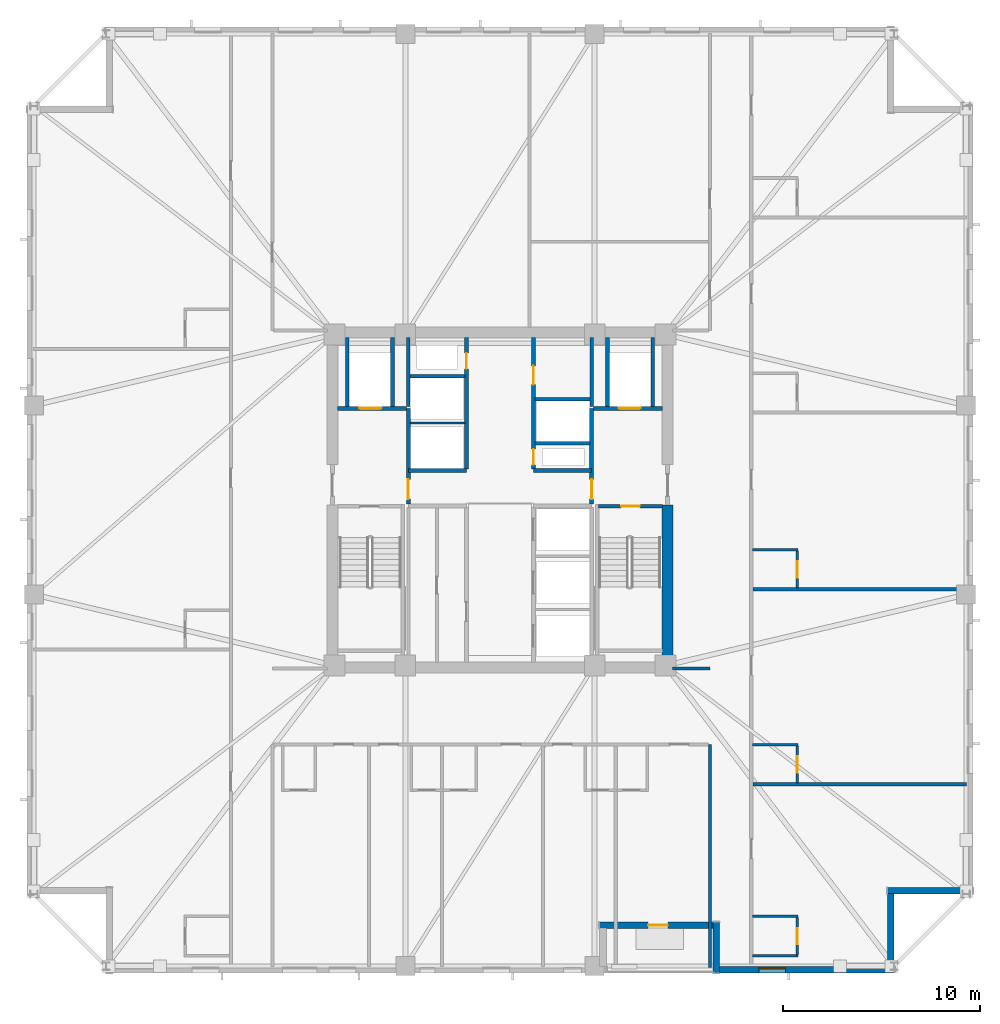
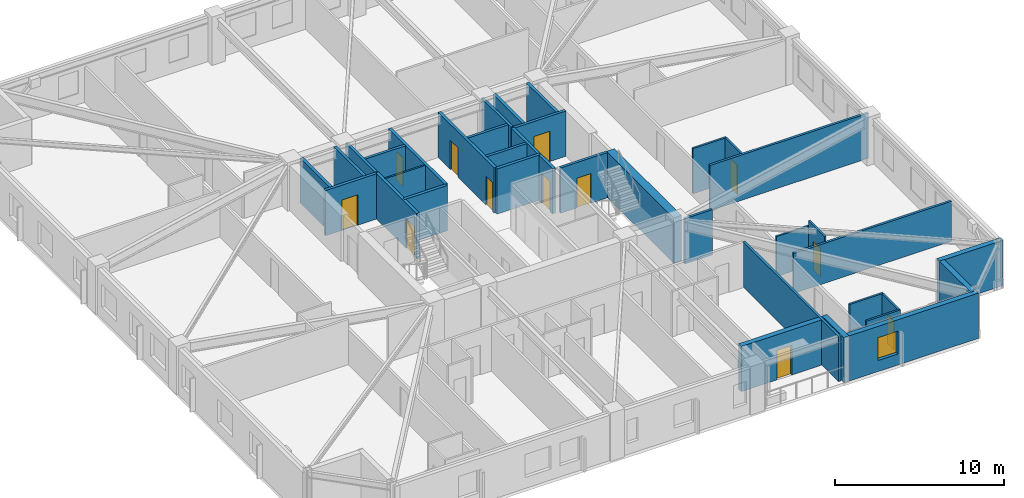
# One storey, part 4 of 11: 36 walls, 12 doors, 1 window, 13 openings.
"""IFC4 building model written with IfcOpenShell, lengths in metres."""

from ifc_helpers import new_model, si_unit, direction, frame, frame_2d, origin, place, context, subcontext, project, spatial, rectangle, extrude, material, layer, layer_set, type_object, element, fill, save


model = new_model("IFC4")

# Units and contexts
model_context = context("Model", 3, precision=1e-05, world=origin(), true_north=direction((0.0, 1.0)))
body_context = subcontext(model_context, "Body", "Model", "MODEL_VIEW")
ifc_project = project(units=[si_unit("LENGTHUNIT", "METRE"), si_unit("AREAUNIT", "SQUARE_METRE"), si_unit("VOLUMEUNIT", "CUBIC_METRE"), si_unit("PLANEANGLEUNIT", "RADIAN"), si_unit("MASSUNIT", "GRAM", prefix="KILO")], contexts=[model_context])

# Site, building, storey
site_placement = place(None, origin())
site = spatial("IfcSite", under=ifc_project, at=site_placement, CompositionType="ELEMENT")
building_placement = place(site_placement, origin())
building = spatial("IfcBuilding", under=site, at=building_placement, Name="Cairnveth Concourse Tower", CompositionType="ELEMENT")
storey_placement = place(building_placement, frame((0.0, 0.0, 162.0)))
storey = spatial("IfcBuildingStorey", under=building, at=storey_placement, Name="L44", CompositionType="ELEMENT", Elevation=162.0)

# Walls
ifc_material_1 = material(Name="Gypsum Plasterboard Partition", Category="gypsum")
ifc_layer_1 = layer(ifc_material_1, 0.159912109375)
ifc_layer_set_1 = layer_set([ifc_layer_1], Name="Gypsum Plasterboard Partition")
wall_type_1 = type_object("IfcWallType", Name="ACOUSTIC PARTY WALL 180", PredefinedType="PARTITIONING", material=ifc_layer_set_1)
wall_1_placement = place(storey_placement, frame((62.64990234375, 15.27001953125, 0.0), z_axis=(0.0, 0.0, 1.0), x_axis=(0.0, 1.0, 0.0)))
element("IfcWall", 1, at=wall_1_placement, inside=storey, type_object=wall_type_1, Name="Interior Wall IW-L44-042", PredefinedType="PARTITIONING", context=body_context, shape_type="SweptSolid", body=[
    extrude(rectangle(XDim=11.330078125, YDim=0.159912109375, at=frame_2d((5.6650390625, 0.0))), origin(), (0.0, 0.0, 1.0), 3.280029296875),
])
wall_2_placement = place(storey_placement, frame((60.764892578125, 30.449951171875, 0.0), z_axis=(0.0, 0.0, 1.0), x_axis=(1.0, 0.0, 0.0)))
element("IfcWall", 2, at=wall_2_placement, inside=storey, type_object=wall_type_1, Name="Interior Wall IW-L44-044", PredefinedType="PARTITIONING", context=body_context, shape_type="SweptSolid", body=[
    extrude(rectangle(XDim=1.885009765625, YDim=0.159912109375, at=frame_2d((0.9423828125, 0.0))), origin(), (0.0, 0.0, 1.0), 3.280029296875),
])
wall_3_placement = place(storey_placement, frame((64.830078125, 24.577392578125, 0.0), z_axis=(0.0, 0.0, 1.0), x_axis=(1.0, 0.0, 0.0)))
element("IfcWall", 3, at=wall_3_placement, inside=storey, type_object=wall_type_1, Name="Interior Wall IW-L44-076", PredefinedType="PARTITIONING", context=body_context, shape_type="SweptSolid", body=[
    extrude(rectangle(XDim=10.844970703125, YDim=0.159912109375, at=frame_2d((5.42236328125, 0.0))), origin(), (0.0, 0.0, 1.0), 2.89599609375),
])
wall_4_placement = place(storey_placement, frame((64.830078125, 34.47412109375, 0.0), z_axis=(0.0, 0.0, 1.0), x_axis=(1.0, 0.0, 0.0)))
element("IfcWall", 4, at=wall_4_placement, inside=storey, type_object=wall_type_1, Name="Interior Wall IW-L44-079", PredefinedType="PARTITIONING", context=body_context, shape_type="SweptSolid", body=[
    extrude(rectangle(XDim=10.844970703125, YDim=0.159912109375, at=frame_2d((5.42236328125, 0.0))), origin(), (0.0, 0.0, 1.0), 3.280029296875),
])
ifc_material_2 = material(Name="Concrete N80 (80 MPa)", Category="concrete")
ifc_layer_2 = layer(ifc_material_2, 0.550048828125)
ifc_layer_set_2 = layer_set([ifc_layer_2], Name="Concrete N80 (80 MPa)")
wall_type_2 = type_object("IfcWallType", Name="CORE SHEAR WALL 550", PredefinedType="SHEAR", material=ifc_layer_set_2)
wall_5_placement = place(storey_placement, frame((60.5, 30.764892578125, 0.0), z_axis=(0.0, 0.0, 1.0), x_axis=(0.0, 1.0, 0.0)))
element("IfcWall", 5, at=wall_5_placement, inside=storey, type_object=wall_type_2, Name="Core East Shear Wall S L44", PredefinedType="SHEAR", context=body_context, shape_type="SweptSolid", body=[
    extrude(rectangle(XDim=7.985107421875, YDim=0.550048828125, at=frame_2d((3.99267578125, 0.0))), origin(), (0.0, 0.0, 1.0), 3.280029296875),
])
ifc_material_3 = material(Name="Concrete N50 (50 MPa)", Category="concrete")
ifc_layer_3 = layer(ifc_material_3, 0.179931640625)
ifc_layer_set_3 = layer_set([ifc_layer_3], Name="Concrete N50 (50 MPa)")
wall_type_3 = type_object("IfcWallType", Name="FIRE SHAFT WALL 180", PredefinedType="SOLIDWALL", material=ifc_layer_set_3)
wall_6_placement = place(storey_placement, frame((47.35009765625, 43.735107421875, 0.0), z_axis=(0.0, 0.0, 1.0), x_axis=(0.0, 1.0, 0.0)))
element("IfcWall", 6, at=wall_6_placement, inside=storey, type_object=wall_type_3, Name="Interior Wall IW-L44-030", PredefinedType="SOLIDWALL", context=body_context, shape_type="SweptSolid", body=[
    extrude(rectangle(XDim=3.5048828125, YDim=0.179931640625, at=frame_2d((1.75244140625, 0.0))), origin(), (0.0, 0.0, 1.0), 3.280029296875),
])
wall_7_placement = place(storey_placement, frame((47.425048828125, 45.280029296875, 0.0), z_axis=(0.0, 0.0, 1.0), x_axis=(1.0, 0.0, 0.0)))
element("IfcWall", 7, at=wall_7_placement, inside=storey, type_object=wall_type_3, Name="Interior Wall IW-L44-032", PredefinedType="SOLIDWALL", context=body_context, shape_type="SweptSolid", body=[
    extrude(rectangle(XDim=2.7900390625, YDim=0.179931640625, at=frame_2d((1.39501953125, 0.0))), origin(), (0.0, 0.0, 1.0), 3.280029296875),
])
wall_8_placement = place(storey_placement, frame((56.64990234375, 43.735107421875, 0.0), z_axis=(0.0, 0.0, 1.0), x_axis=(0.0, 1.0, 0.0)))
element("IfcWall", 8, at=wall_8_placement, inside=storey, type_object=wall_type_3, Name="Interior Wall IW-L44-033", PredefinedType="SOLIDWALL", context=body_context, shape_type="SweptSolid", body=[
    extrude(rectangle(XDim=3.5048828125, YDim=0.179931640625, at=frame_2d((1.75244140625, 0.0))), origin(), (0.0, 0.0, 1.0), 3.280029296875),
])
wall_9_placement = place(storey_placement, frame((53.784912109375, 41.8798828125, 0.0), z_axis=(0.0, 0.0, 1.0), x_axis=(1.0, 0.0, 0.0)))
element("IfcWall", 9, at=wall_9_placement, inside=storey, type_object=wall_type_3, Name="Interior Wall IW-L44-034", PredefinedType="SOLIDWALL", context=body_context, shape_type="SweptSolid", body=[
    extrude(rectangle(XDim=2.780029296875, YDim=0.179931640625, at=frame_2d((1.39013671875, 0.0))), origin(), (0.0, 0.0, 1.0), 3.280029296875),
])
wall_10_placement = place(storey_placement, frame((53.784912109375, 44.1201171875, 0.0), z_axis=(0.0, 0.0, 1.0), x_axis=(1.0, 0.0, 0.0)))
element("IfcWall", 10, at=wall_10_placement, inside=storey, type_object=wall_type_3, Name="Interior Wall IW-L44-035", PredefinedType="SOLIDWALL", context=body_context, shape_type="SweptSolid", body=[
    extrude(rectangle(XDim=2.7900390625, YDim=0.179931640625, at=frame_2d((1.39501953125, 0.0))), origin(), (0.0, 0.0, 1.0), 3.280029296875),
])

# Wall, opening, door
wall_11_placement = place(storey_placement, frame((57.0048828125, 38.68994140625, 0.0), z_axis=(0.0, 0.0, 1.0), x_axis=(1.0, 0.0, 0.0)))
wall_11 = element("IfcWall", 11, at=wall_11_placement, inside=storey, type_object=wall_type_3, Name="Stair ST-2 Shaft Wall NEAR L44", PredefinedType="SOLIDWALL", context=body_context, shape_type="SweptSolid", body=[
    extrude(rectangle(XDim=3.230224609375, YDim=0.179931640625, at=frame_2d((1.615234375, 0.0))), origin(), (0.0, 0.0, 1.0), 3.280029296875),
])
opening_1_placement = place(wall_11_placement, frame((1.139892578125, 0.0, 0.0)))
opening_1 = element("IfcOpeningElement", 12, at=opening_1_placement, cuts=wall_11, Name="Opening ID12", PredefinedType="OPENING", context=body_context, shape_type="SweptSolid", body=[
    extrude(rectangle(XDim=0.949951171875, YDim=2.14990234375, at=frame_2d((0.47509765625, 1.074951171875))), frame((0.0, 0.099853515625, 0.0), z_axis=(0.0, -1.0, 0.0), x_axis=(1.0, 0.0, 0.0)), (0.0, 0.0, 1.0), 0.199951171875),
])
ifc_material_4 = material(Name="Steel Grade 350", Category="steel")
door_type_1 = type_object("IfcDoorType", Name="FIRE STAIR DOOR 950X2150", OperationType="NOTDEFINED", PredefinedType="DOOR", material=ifc_material_4)
door_1_placement = place(opening_1_placement, origin())
door_1 = element("IfcDoor", 13, at=door_1_placement, inside=storey, type_object=door_type_1, Name="Stair ST-2 Fire Door L44", OperationType="SINGLE_SWING_RIGHT", OverallHeight=2.14990234375, OverallWidth=0.949951171875, PredefinedType="DOOR", context=body_context, shape_type="SweptSolid", body=[
    extrude(rectangle(XDim=0.949951171875, YDim=2.14990234375, at=frame_2d((0.47509765625, 1.074951171875))), frame((0.0, 0.02490234375, 0.0), z_axis=(0.0, -1.0, 0.0), x_axis=(1.0, 0.0, 0.0)), (0.0, 0.0, 1.0), 0.050048828125),
])
fill(opening_1, door_1)

# Walls
ifc_layer_4 = layer(ifc_material_3, 0.199951171875)
ifc_layer_set_4 = layer_set([ifc_layer_4], Name="Concrete N50 (50 MPa)")
wall_type_4 = type_object("IfcWallType", Name="FIRE SHAFT WALL 200", PredefinedType="SOLIDWALL", material=ifc_layer_set_4)
for number, where, z_axis, x_axis, name in (
    (14, (47.35009765625, 40.5, 0.0), (0.0, 0.0, 1.0), (1.0, 0.0, 0.0), "Interior Wall IW-L44-008"),
    (15, (53.699951171875, 40.5, 0.0), (0.0, 0.0, 1.0), (1.0, 0.0, 0.0), "Interior Wall IW-L44-010"),
):
    element("IfcWall", number, at=place(storey_placement, frame(where, z_axis=z_axis, x_axis=x_axis)), inside=storey, type_object=wall_type_4, Name=name, PredefinedType="SOLIDWALL", context=body_context, shape_type="SweptSolid", body=[
        extrude(rectangle(XDim=2.949951171875, YDim=0.199951171875, at=frame_2d((1.47509765625, 0.0))), origin(), (0.0, 0.0, 1.0), 3.280029296875),
    ])

# Wall, opening, door
wall_12_placement = place(storey_placement, frame((50.300048828125, 40.5849609375, 0.0), z_axis=(0.0, 0.0, 1.0), x_axis=(0.0, 1.0, 0.0)))
wall_12 = element("IfcWall", 16, at=wall_12_placement, inside=storey, type_object=wall_type_4, Name="Interior Wall IW-L44-013", PredefinedType="SOLIDWALL", context=body_context, shape_type="SweptSolid", body=[
    extrude(rectangle(XDim=6.655029296875, YDim=0.199951171875, at=frame_2d((3.32763671875, 0.0))), origin(), (0.0, 0.0, 1.0), 3.280029296875),
])
opening_2_placement = place(wall_12_placement, frame((5.06494140625, 0.0, 0.0)))
opening_2 = element("IfcOpeningElement", 17, at=opening_2_placement, cuts=wall_12, Name="Opening ID24", PredefinedType="OPENING", context=body_context, shape_type="SweptSolid", body=[
    extrude(rectangle(XDim=0.800048828125, YDim=2.080078125, at=frame_2d((0.39990234375, 1.0400390625))), frame((0.0, 0.10986328125, 0.0), z_axis=(0.0, -1.0, 0.0), x_axis=(1.0, 0.0, 0.0)), (0.0, 0.0, 1.0), 0.219970703125),
])
door_type_2 = type_object("IfcDoorType", Name="RISER ACCESS DOOR 800X2100", OperationType="NOTDEFINED", PredefinedType="DOOR", material=ifc_material_4)
door_2_placement = place(opening_2_placement, origin())
door_2 = element("IfcDoor", 18, at=door_2_placement, inside=storey, type_object=door_type_2, Name="NW Electrical Riser Access Door L44", OperationType="SINGLE_SWING_RIGHT", OverallHeight=2.080078125, OverallWidth=0.800048828125, PredefinedType="DOOR", context=body_context, shape_type="SweptSolid", body=[
    extrude(rectangle(XDim=0.800048828125, YDim=2.080078125, at=frame_2d((0.39990234375, 1.0400390625))), frame((0.0, 0.02490234375, 0.0), z_axis=(0.0, -1.0, 0.0), x_axis=(1.0, 0.0, 0.0)), (0.0, 0.0, 1.0), 0.050048828125),
])
fill(opening_2, door_2)

# Wall, openings, doors
wall_13_placement = place(storey_placement, frame((53.699951171875, 40.5849609375, 0.0), z_axis=(0.0, 0.0, 1.0), x_axis=(0.0, 1.0, 0.0)))
wall_13 = element("IfcWall", 19, at=wall_13_placement, inside=storey, type_object=wall_type_4, Name="Interior Wall IW-L44-014", PredefinedType="SOLIDWALL", context=body_context, shape_type="SweptSolid", body=[
    extrude(rectangle(XDim=6.655029296875, YDim=0.199951171875, at=frame_2d((3.32763671875, 0.0))), origin(), (0.0, 0.0, 1.0), 3.280029296875),
])
opening_3_placement = place(wall_13_placement, frame((0.195068359375, 0.0, 0.0)))
opening_3 = element("IfcOpeningElement", 20, at=opening_3_placement, cuts=wall_13, Name="Opening ID24", PredefinedType="OPENING", context=body_context, shape_type="SweptSolid", body=[
    extrude(rectangle(XDim=0.800048828125, YDim=2.080078125, at=frame_2d((0.39990234375, 1.0400390625))), frame((0.0, 0.10986328125, 0.0), z_axis=(0.0, -1.0, 0.0), x_axis=(1.0, 0.0, 0.0)), (0.0, 0.0, 1.0), 0.219970703125),
])
opening_4_placement = place(wall_13_placement, frame((4.264892578125, 0.0, 0.0)))
opening_4 = element("IfcOpeningElement", 21, at=opening_4_placement, cuts=wall_13, Name="Opening ID25", PredefinedType="OPENING", context=body_context, shape_type="SweptSolid", body=[
    extrude(rectangle(XDim=0.949951171875, YDim=2.1201171875, at=frame_2d((0.47509765625, 1.06005859375))), frame((0.0, 0.10986328125, 0.0), z_axis=(0.0, -1.0, 0.0), x_axis=(1.0, 0.0, 0.0)), (0.0, 0.0, 1.0), 0.219970703125),
])
door_type_3 = type_object("IfcDoorType", Name="CORE ACCESSIBLE FIRE DOOR 950X2120", OperationType="NOTDEFINED", PredefinedType="DOOR", material=ifc_material_4)
door_3_placement = place(opening_4_placement, origin())
door_3 = element("IfcDoor", 22, at=door_3_placement, inside=storey, type_object=door_type_3, Name="Core NE Accessible WC Door L44", OperationType="SINGLE_SWING_RIGHT", OverallHeight=2.1201171875, OverallWidth=0.949951171875, PredefinedType="DOOR", context=body_context, shape_type="SweptSolid", body=[
    extrude(rectangle(XDim=0.949951171875, YDim=2.1201171875, at=frame_2d((0.47509765625, 1.06005859375))), frame((0.0, 0.02490234375, 0.0), z_axis=(0.0, -1.0, 0.0), x_axis=(1.0, 0.0, 0.0)), (0.0, 0.0, 1.0), 0.050048828125),
])
fill(opening_4, door_3)
door_4_placement = place(opening_3_placement, origin())
door_4 = element("IfcDoor", 23, at=door_4_placement, inside=storey, type_object=door_type_2, Name="Hydraulic Riser Door L44", OperationType="SINGLE_SWING_LEFT", OverallHeight=2.080078125, OverallWidth=0.800048828125, PredefinedType="DOOR", context=body_context, shape_type="SweptSolid", body=[
    extrude(rectangle(XDim=0.800048828125, YDim=2.080078125, at=frame_2d((0.39990234375, 1.0400390625))), frame((0.0, 0.02490234375, 0.0), z_axis=(0.0, -1.0, 0.0), x_axis=(1.0, 0.0, 0.0)), (0.0, 0.0, 1.0), 0.050048828125),
])
fill(opening_3, door_4)

# Wall, opening, door
wall_14_placement = place(storey_placement, frame((47.35009765625, 38.784912109375, 0.0), z_axis=(0.0, 0.0, 1.0), x_axis=(0.0, 1.0, 0.0)))
wall_14 = element("IfcWall", 24, at=wall_14_placement, inside=storey, type_object=wall_type_4, Name="Interior Wall IW-L44-016", PredefinedType="SOLIDWALL", context=body_context, shape_type="SweptSolid", body=[
    extrude(rectangle(XDim=4.864990234375, YDim=0.199951171875, at=frame_2d((2.4326171875, 0.0))), origin(), (0.0, 0.0, 1.0), 3.280029296875),
])
opening_5_placement = place(wall_14_placement, frame((0.264892578125, 0.0, 0.0)))
opening_5 = element("IfcOpeningElement", 25, at=opening_5_placement, cuts=wall_14, Name="Opening ID07", PredefinedType="OPENING", context=body_context, shape_type="SweptSolid", body=[
    extrude(rectangle(XDim=1.0, YDim=2.14990234375, at=frame_2d((0.5, 1.074951171875))), frame((0.0, 0.10986328125, 0.0), z_axis=(0.0, -1.0, 0.0), x_axis=(1.0, 0.0, 0.0)), (0.0, 0.0, 1.0), 0.219970703125),
])
door_type_4 = type_object("IfcDoorType", Name="FIRE CORRIDOR DOOR 1000X2150", OperationType="NOTDEFINED", PredefinedType="DOOR", material=ifc_material_4)
door_5_placement = place(opening_5_placement, origin())
door_5 = element("IfcDoor", 26, at=door_5_placement, inside=storey, type_object=door_type_4, Name="FF Lobby West to Lift Lobby Door L44", OperationType="SINGLE_SWING_RIGHT", OverallHeight=2.14990234375, OverallWidth=1.0, PredefinedType="DOOR", context=body_context, shape_type="SweptSolid", body=[
    extrude(rectangle(XDim=1.0, YDim=2.14990234375, at=frame_2d((0.5, 1.074951171875))), frame((0.0, 0.02490234375, 0.0), z_axis=(0.0, -1.0, 0.0), x_axis=(1.0, 0.0, 0.0)), (0.0, 0.0, 1.0), 0.050048828125),
])
fill(opening_5, door_5)

wall_15_placement = place(storey_placement, frame((43.760009765625, 43.64990234375, 0.0), z_axis=(0.0, 0.0, 1.0), x_axis=(1.0, 0.0, 0.0)))
wall_15 = element("IfcWall", 27, at=wall_15_placement, inside=storey, type_object=wall_type_4, Name="Interior Wall IW-L44-017", PredefinedType="SOLIDWALL", context=body_context, shape_type="SweptSolid", body=[
    extrude(rectangle(XDim=3.5048828125, YDim=0.199951171875, at=frame_2d((1.75244140625, 0.0))), origin(), (0.0, 0.0, 1.0), 3.280029296875),
])
opening_6_placement = place(wall_15_placement, frame((1.110107421875, 0.0, 0.0)))
opening_6 = element("IfcOpeningElement", 28, at=opening_6_placement, cuts=wall_15, Name="Opening LD-1", PredefinedType="OPENING", context=body_context, shape_type="SweptSolid", body=[
    extrude(rectangle(XDim=1.10009765625, YDim=2.199951171875, at=frame_2d((0.550048828125, 1.10009765625))), frame((0.0, 0.10986328125, 0.0), z_axis=(0.0, -1.0, 0.0), x_axis=(1.0, 0.0, 0.0)), (0.0, 0.0, 1.0), 0.219970703125),
])
ifc_material_5 = material(Name="Architectural Bronze Anodised Aluminium 6063-T6", Category="aluminium")
door_type_5 = type_object("IfcDoorType", Name="LIFT LANDING DOOR 1100X2200", OperationType="SLIDING_TO_LEFT", PredefinedType="DOOR", material=ifc_material_5)
door_6_placement = place(opening_6_placement, origin())
door_6 = element("IfcDoor", 29, at=door_6_placement, inside=storey, type_object=door_type_5, Name="Lift FFL1 Landing Door L44", OperationType="SLIDING_TO_LEFT", OverallHeight=2.199951171875, OverallWidth=1.10009765625, PredefinedType="DOOR", context=body_context, shape_type="SweptSolid", body=[
    extrude(rectangle(XDim=1.10009765625, YDim=2.199951171875, at=frame_2d((0.550048828125, 1.10009765625))), frame((0.0, 0.02490234375, 0.0), z_axis=(0.0, -1.0, 0.0), x_axis=(1.0, 0.0, 0.0)), (0.0, 0.0, 1.0), 0.050048828125),
])
fill(opening_6, door_6)

# Walls
for number, where, z_axis, x_axis, name in (
    (30, (46.550048828125, 43.735107421875, 0.0), (0.0, 0.0, 1.0), (0.0, 1.0, 0.0), "Interior Wall IW-L44-018"),
    (31, (44.25, 43.735107421875, 0.0), (0.0, 0.0, 1.0), (0.0, 1.0, 0.0), "Interior Wall IW-L44-019"),
):
    element("IfcWall", number, at=place(storey_placement, frame(where, z_axis=z_axis, x_axis=x_axis)), inside=storey, type_object=wall_type_4, Name=name, PredefinedType="SOLIDWALL", context=body_context, shape_type="SweptSolid", body=[
        extrude(rectangle(XDim=3.5048828125, YDim=0.199951171875, at=frame_2d((1.75244140625, 0.0))), origin(), (0.0, 0.0, 1.0), 3.280029296875),
    ])

# Wall, opening, door
wall_16_placement = place(storey_placement, frame((56.64990234375, 38.784912109375, 0.0), z_axis=(0.0, 0.0, 1.0), x_axis=(0.0, 1.0, 0.0)))
wall_16 = element("IfcWall", 32, at=wall_16_placement, inside=storey, type_object=wall_type_4, Name="Interior Wall IW-L44-021", PredefinedType="SOLIDWALL", context=body_context, shape_type="SweptSolid", body=[
    extrude(rectangle(XDim=4.864990234375, YDim=0.199951171875, at=frame_2d((2.4326171875, 0.0))), origin(), (0.0, 0.0, 1.0), 3.280029296875),
])
opening_7_placement = place(wall_16_placement, frame((0.264892578125, 0.0, 0.0)))
opening_7 = element("IfcOpeningElement", 33, at=opening_7_placement, cuts=wall_16, Name="Opening ID07", PredefinedType="OPENING", context=body_context, shape_type="SweptSolid", body=[
    extrude(rectangle(XDim=1.0, YDim=2.14990234375, at=frame_2d((0.5, 1.074951171875))), frame((0.0, 0.10986328125, 0.0), z_axis=(0.0, -1.0, 0.0), x_axis=(1.0, 0.0, 0.0)), (0.0, 0.0, 1.0), 0.219970703125),
])
door_7_placement = place(opening_7_placement, origin())
door_7 = element("IfcDoor", 34, at=door_7_placement, inside=storey, type_object=door_type_4, Name="FF Lobby East to Lift Lobby Door L44", OperationType="SINGLE_SWING_LEFT", OverallHeight=2.14990234375, OverallWidth=1.0, PredefinedType="DOOR", context=body_context, shape_type="SweptSolid", body=[
    extrude(rectangle(XDim=1.0, YDim=2.14990234375, at=frame_2d((0.5, 1.074951171875))), frame((0.0, 0.02490234375, 0.0), z_axis=(0.0, -1.0, 0.0), x_axis=(1.0, 0.0, 0.0)), (0.0, 0.0, 1.0), 0.050048828125),
])
fill(opening_7, door_7)

wall_17_placement = place(storey_placement, frame((56.735107421875, 43.64990234375, 0.0), z_axis=(0.0, 0.0, 1.0), x_axis=(1.0, 0.0, 0.0)))
wall_17 = element("IfcWall", 35, at=wall_17_placement, inside=storey, type_object=wall_type_4, Name="Interior Wall IW-L44-022", PredefinedType="SOLIDWALL", context=body_context, shape_type="SweptSolid", body=[
    extrude(rectangle(XDim=3.5048828125, YDim=0.199951171875, at=frame_2d((1.75244140625, 0.0))), origin(), (0.0, 0.0, 1.0), 3.280029296875),
])
opening_8_placement = place(wall_17_placement, frame((1.294921875, 0.0, 0.0)))
opening_8 = element("IfcOpeningElement", 36, at=opening_8_placement, cuts=wall_17, Name="Opening LD-1", PredefinedType="OPENING", context=body_context, shape_type="SweptSolid", body=[
    extrude(rectangle(XDim=1.10009765625, YDim=2.199951171875, at=frame_2d((0.550048828125, 1.10009765625))), frame((0.0, 0.10986328125, 0.0), z_axis=(0.0, -1.0, 0.0), x_axis=(1.0, 0.0, 0.0)), (0.0, 0.0, 1.0), 0.219970703125),
])
door_8_placement = place(opening_8_placement, origin())
door_8 = element("IfcDoor", 37, at=door_8_placement, inside=storey, type_object=door_type_5, Name="Lift FFL2 Landing Door L44", OperationType="SLIDING_TO_LEFT", OverallHeight=2.199951171875, OverallWidth=1.10009765625, PredefinedType="DOOR", context=body_context, shape_type="SweptSolid", body=[
    extrude(rectangle(XDim=1.10009765625, YDim=2.199951171875, at=frame_2d((0.550048828125, 1.10009765625))), frame((0.0, 0.02490234375, 0.0), z_axis=(0.0, -1.0, 0.0), x_axis=(1.0, 0.0, 0.0)), (0.0, 0.0, 1.0), 0.050048828125),
])
fill(opening_8, door_8)

# Walls
for number, where, z_axis, x_axis, name in (
    (38, (57.449951171875, 43.735107421875, 0.0), (0.0, 0.0, 1.0), (0.0, 1.0, 0.0), "Interior Wall IW-L44-023"),
    (39, (59.75, 43.735107421875, 0.0), (0.0, 0.0, 1.0), (0.0, 1.0, 0.0), "Interior Wall IW-L44-024"),
):
    element("IfcWall", number, at=place(storey_placement, frame(where, z_axis=z_axis, x_axis=x_axis)), inside=storey, type_object=wall_type_4, Name=name, PredefinedType="SOLIDWALL", context=body_context, shape_type="SweptSolid", body=[
        extrude(rectangle(XDim=3.5048828125, YDim=0.199951171875, at=frame_2d((1.75244140625, 0.0))), origin(), (0.0, 0.0, 1.0), 3.280029296875),
    ])
ifc_layer_5 = layer(ifc_material_1, 0.110107421875)
ifc_layer_set_5 = layer_set([ifc_layer_5], Name="Gypsum Plasterboard Partition")
wall_type_5 = type_object("IfcWallType", Name="SHAFT DIVIDER WALL 140", PredefinedType="PARTITIONING", material=ifc_layer_set_5)
wall_18_placement = place(storey_placement, frame((47.43505859375, 42.89990234375, 0.0), z_axis=(0.0, 0.0, 1.0), x_axis=(1.0, 0.0, 0.0)))
element("IfcWall", 40, at=wall_18_placement, inside=storey, type_object=wall_type_5, Name="Interior Wall IW-L44-031", PredefinedType="PARTITIONING", context=body_context, shape_type="SweptSolid", body=[
    extrude(rectangle(XDim=2.780029296875, YDim=0.110107421875, at=frame_2d((1.39013671875, 0.0))), origin(), (0.0, 0.0, 1.0), 3.280029296875),
])
ifc_layer_6 = layer(ifc_material_1, 0.1298828125)
ifc_layer_set_6 = layer_set([ifc_layer_6], Name="Gypsum Plasterboard Partition")
wall_type_6 = type_object("IfcWallType", Name="WET AREA PARTITION 140", PredefinedType="PLUMBINGWALL", material=ifc_layer_set_6)
for number, where, z_axis, x_axis, name in (
    (41, (64.81494140625, 15.8701171875, 0.0), (0.0, 0.0, 1.0), (1.0, 0.0, 0.0), "Interior Wall IW-L44-073"),
    (42, (64.81494140625, 17.8701171875, 0.0), (0.0, 0.0, 1.0), (1.0, 0.0, 0.0), "Interior Wall IW-L44-074"),
):
    element("IfcWall", number, at=place(storey_placement, frame(where, z_axis=z_axis, x_axis=x_axis)), inside=storey, type_object=wall_type_6, Name=name, PredefinedType="PLUMBINGWALL", context=body_context, shape_type="SweptSolid", body=[
        extrude(rectangle(XDim=2.31494140625, YDim=0.1298828125, at=frame_2d((1.157470703125, 0.0))), origin(), (0.0, 0.0, 1.0), 3.280029296875),
    ])

# Wall, opening, door
wall_19_placement = place(storey_placement, frame((67.080078125, 15.919921875, 0.0), z_axis=(0.0, 0.0, 1.0), x_axis=(0.0, 1.0, 0.0)))
wall_19 = element("IfcWall", 43, at=wall_19_placement, inside=storey, type_object=wall_type_6, Name="Interior Wall IW-L44-075", PredefinedType="PLUMBINGWALL", context=body_context, shape_type="SweptSolid", body=[
    extrude(rectangle(XDim=1.900146484375, YDim=0.1298828125, at=frame_2d((0.9501953125, 0.0))), origin(), (0.0, 0.0, 1.0), 3.280029296875),
])
opening_9_placement = place(wall_19_placement, frame((0.5400390625, 0.0, 0.0)))
opening_9 = element("IfcOpeningElement", 44, at=opening_9_placement, cuts=wall_19, Name="Opening ID22", PredefinedType="OPENING", context=body_context, shape_type="SweptSolid", body=[
    extrude(rectangle(XDim=0.820068359375, YDim=2.10009765625, at=frame_2d((0.41015625, 1.050048828125))), frame((0.0, 0.074951171875, 0.0), z_axis=(0.0, -1.0, 0.0), x_axis=(1.0, 0.0, 0.0)), (0.0, 0.0, 1.0), 0.14990234375),
])
ifc_material_6 = material(Name="Solid Core Hardwood Timber Leaf", Category="wood")
door_type_6 = type_object("IfcDoorType", Name="INTERIOR WC DOOR 820X2100", OperationType="NOTDEFINED", PredefinedType="DOOR", material=ifc_material_6)
door_9_placement = place(opening_9_placement, origin())
door_9 = element("IfcDoor", 45, at=door_9_placement, inside=storey, type_object=door_type_6, Name="En-Suite Door L44-E1", OperationType="SINGLE_SWING_RIGHT", OverallHeight=2.10009765625, OverallWidth=0.820068359375, PredefinedType="DOOR", context=body_context, shape_type="SweptSolid", body=[
    extrude(rectangle(XDim=0.820068359375, YDim=2.10009765625, at=frame_2d((0.41015625, 1.050048828125))), frame((0.0, 0.02490234375, 0.0), z_axis=(0.0, -1.0, 0.0), x_axis=(1.0, 0.0, 0.0)), (0.0, 0.0, 1.0), 0.050048828125),
])
fill(opening_9, door_9)

# Wall
wall_20_placement = place(storey_placement, frame((64.81494140625, 26.577392578125, 0.0), z_axis=(0.0, 0.0, 1.0), x_axis=(1.0, 0.0, 0.0)))
element("IfcWall", 46, at=wall_20_placement, inside=storey, type_object=wall_type_6, Name="Interior Wall IW-L44-077", PredefinedType="PLUMBINGWALL", context=body_context, shape_type="SweptSolid", body=[
    extrude(rectangle(XDim=2.31494140625, YDim=0.1298828125, at=frame_2d((1.157470703125, 0.0))), origin(), (0.0, 0.0, 1.0), 2.89599609375),
])

# Wall, opening, door
wall_21_placement = place(storey_placement, frame((67.080078125, 24.642333984375, 0.0), z_axis=(0.0, 0.0, 1.0), x_axis=(0.0, 1.0, 0.0)))
wall_21 = element("IfcWall", 47, at=wall_21_placement, inside=storey, type_object=wall_type_6, Name="Interior Wall IW-L44-078", PredefinedType="PLUMBINGWALL", context=body_context, shape_type="SweptSolid", body=[
    extrude(rectangle(XDim=1.885009765625, YDim=0.1298828125, at=frame_2d((0.9423828125, 0.0))), origin(), (0.0, 0.0, 1.0), 3.280029296875),
])
opening_10_placement = place(wall_21_placement, frame((0.52490234375, 0.0, 0.0)))
opening_10 = element("IfcOpeningElement", 48, at=opening_10_placement, cuts=wall_21, Name="Opening ID22", PredefinedType="OPENING", context=body_context, shape_type="SweptSolid", body=[
    extrude(rectangle(XDim=0.820068359375, YDim=2.10009765625, at=frame_2d((0.41015625, 1.050048828125))), frame((0.0, 0.074951171875, 0.0), z_axis=(0.0, -1.0, 0.0), x_axis=(1.0, 0.0, 0.0)), (0.0, 0.0, 1.0), 0.14990234375),
])
door_10_placement = place(opening_10_placement, origin())
door_10 = element("IfcDoor", 49, at=door_10_placement, inside=storey, type_object=door_type_6, Name="En-Suite Door L44-E2", OperationType="SINGLE_SWING_RIGHT", OverallHeight=2.10009765625, OverallWidth=0.820068359375, PredefinedType="DOOR", context=body_context, shape_type="SweptSolid", body=[
    extrude(rectangle(XDim=0.820068359375, YDim=2.10009765625, at=frame_2d((0.41015625, 1.050048828125))), frame((0.0, 0.02490234375, 0.0), z_axis=(0.0, -1.0, 0.0), x_axis=(1.0, 0.0, 0.0)), (0.0, 0.0, 1.0), 0.050048828125),
])
fill(opening_10, door_10)

# Wall
wall_22_placement = place(storey_placement, frame((64.81494140625, 36.47412109375, 0.0), z_axis=(0.0, 0.0, 1.0), x_axis=(1.0, 0.0, 0.0)))
element("IfcWall", 50, at=wall_22_placement, inside=storey, type_object=wall_type_6, Name="Interior Wall IW-L44-080", PredefinedType="PLUMBINGWALL", context=body_context, shape_type="SweptSolid", body=[
    extrude(rectangle(XDim=2.31494140625, YDim=0.1298828125, at=frame_2d((1.157470703125, 0.0))), origin(), (0.0, 0.0, 1.0), 3.280029296875),
])

# Wall, opening, door
wall_23_placement = place(storey_placement, frame((67.080078125, 34.5390625, 0.0), z_axis=(0.0, 0.0, 1.0), x_axis=(0.0, 1.0, 0.0)))
wall_23 = element("IfcWall", 51, at=wall_23_placement, inside=storey, type_object=wall_type_6, Name="Interior Wall IW-L44-081", PredefinedType="PLUMBINGWALL", context=body_context, shape_type="SweptSolid", body=[
    extrude(rectangle(XDim=1.885009765625, YDim=0.1298828125, at=frame_2d((0.9423828125, 0.0))), origin(), (0.0, 0.0, 1.0), 3.280029296875),
])
opening_11_placement = place(wall_23_placement, frame((0.52490234375, 0.0, 0.0)))
opening_11 = element("IfcOpeningElement", 52, at=opening_11_placement, cuts=wall_23, Name="Opening ID22", PredefinedType="OPENING", context=body_context, shape_type="SweptSolid", body=[
    extrude(rectangle(XDim=0.820068359375, YDim=2.10009765625, at=frame_2d((0.41015625, 1.050048828125))), frame((0.0, 0.074951171875, 0.0), z_axis=(0.0, -1.0, 0.0), x_axis=(1.0, 0.0, 0.0)), (0.0, 0.0, 1.0), 0.14990234375),
])
door_11_placement = place(opening_11_placement, origin())
door_11 = element("IfcDoor", 53, at=door_11_placement, inside=storey, type_object=door_type_6, Name="En-Suite Door L44-E3", OperationType="SINGLE_SWING_RIGHT", OverallHeight=2.10009765625, OverallWidth=0.820068359375, PredefinedType="DOOR", context=body_context, shape_type="SweptSolid", body=[
    extrude(rectangle(XDim=0.820068359375, YDim=2.10009765625, at=frame_2d((0.41015625, 1.050048828125))), frame((0.0, 0.02490234375, 0.0), z_axis=(0.0, -1.0, 0.0), x_axis=(1.0, 0.0, 0.0)), (0.0, 0.0, 1.0), 0.050048828125),
])
fill(opening_11, door_11)

# Walls
ifc_material_7 = material(Name="Hawthorn Red-Ochre Fired Clay Brick Masonry", Category="masonry")
ifc_layer_7 = layer(ifc_material_7, 0.340087890625)
ifc_layer_set_7 = layer_set([ifc_layer_7], Name="Hawthorn Red-Ochre Fired Clay Brick Masonry")
wall_type_7 = type_object("IfcWallType", Name="ZONE 2 BRICK PIER SPANDREL WALL 340", PredefinedType="SOLIDWALL", material=ifc_layer_set_7)
wall_24_placement = place(storey_placement, frame((76.0, 19.169921875, 0.0), z_axis=(0.0, 0.0, 1.0), x_axis=(-1.0, 0.0, 0.0)))
element("IfcWall", 54, at=wall_24_placement, inside=storey, type_object=wall_type_7, Name="Exterior Wall EW-L44-S10", PredefinedType="SOLIDWALL", context=body_context, shape_type="SweptSolid", body=[
    extrude(rectangle(XDim=4.340087890625, YDim=0.340087890625, at=frame_2d((2.169921875, 0.0))), origin(), (0.0, 0.0, 1.0), 3.280029296875),
])
wall_25_placement = place(storey_placement, frame((71.830078125, 19.02197265625, 0.0), z_axis=(0.0, 0.0, 1.0), x_axis=(0.0, -1.0, 0.0)))
element("IfcWall", 55, at=wall_25_placement, inside=storey, type_object=wall_type_7, Name="Exterior Wall EW-L44-S11", PredefinedType="SOLIDWALL", context=body_context, shape_type="SweptSolid", body=[
    extrude(rectangle(XDim=3.703857421875, YDim=0.340087890625, at=frame_2d((1.85205078125, 0.0))), origin(), (0.0, 0.0, 1.0), 3.280029296875),
])

# Wall, opening, window
wall_26_placement = place(storey_placement, frame((72.0, 15.169921875, 0.0), z_axis=(0.0, 0.0, 1.0), x_axis=(-1.0, 0.0, 0.0)))
wall_26 = element("IfcWall", 56, at=wall_26_placement, inside=storey, type_object=wall_type_7, Name="Exterior Wall EW-L44-S12", PredefinedType="SOLIDWALL", context=body_context, shape_type="SweptSolid", body=[
    extrude(rectangle(XDim=8.882080078125, YDim=0.340087890625, at=frame_2d((4.44091796875, 0.0))), origin(), (0.0, 0.0, 1.0), 3.280029296875),
])
opening_12_placement = place(wall_26_placement, frame((5.51611328125, 0.0, 0.800048828125)))
opening_12 = element("IfcOpeningElement", 57, at=opening_12_placement, cuts=wall_26, Name="Opening W02", PredefinedType="OPENING", context=body_context, shape_type="SweptSolid", body=[
    extrude(rectangle(XDim=1.35009765625, YDim=1.659912109375, at=frame_2d((0.675048828125, 0.830078125))), frame((0.0, 0.179931640625, 0.0), z_axis=(0.0, -1.0, 0.0), x_axis=(1.0, 0.0, 0.0)), (0.0, 0.0, 1.0), 0.360107421875),
])
ifc_material_8 = material(Name="Double Glazed Low-E Clear Glass", Category="glass")
window_type = type_object("IfcWindowType", Name="DEEP-SET GOTHIC LANCET WINDOW 1350X1800", PartitioningType="DOUBLE_PANEL_VERTICAL", PredefinedType="WINDOW", material=ifc_material_8)
window_placement = place(opening_12_placement, origin())
window = element("IfcWindow", 58, at=window_placement, inside=storey, type_object=window_type, Name="Gothic Lancet Window L44-12-1", OverallHeight=1.659912109375, OverallWidth=1.35009765625, PartitioningType="SINGLE_PANEL", PredefinedType="WINDOW", context=body_context, shape_type="SweptSolid", body=[
    extrude(rectangle(XDim=1.35009765625, YDim=1.659912109375, at=frame_2d((0.675048828125, 0.830078125))), frame((0.0, -0.050048828125, 0.0), z_axis=(0.0, -1.0, 0.0), x_axis=(1.0, 0.0, 0.0)), (0.0, 0.0, 1.0), 0.06005859375),
])
fill(opening_12, window)

# Wall
wall_27_placement = place(storey_placement, frame((62.969970703125, 15.0, 0.0), z_axis=(0.0, 0.0, 1.0), x_axis=(0.0, 1.0, 0.0)))
element("IfcWall", 59, at=wall_27_placement, inside=storey, type_object=wall_type_7, Name="Exterior Wall EW-L44-S13", PredefinedType="SOLIDWALL", context=body_context, shape_type="SweptSolid", body=[
    extrude(rectangle(XDim=2.590087890625, YDim=0.340087890625, at=frame_2d((1.294921875, 0.0))), origin(), (0.0, 0.0, 1.0), 3.280029296875),
])

# Wall, opening, door
wall_28_placement = place(storey_placement, frame((62.822021484375, 17.419921875, 0.0), z_axis=(0.0, 0.0, 1.0), x_axis=(-1.0, 0.0, 0.0)))
wall_28 = element("IfcWall", 60, at=wall_28_placement, inside=storey, type_object=wall_type_7, Name="Exterior Wall EW-L44-S14", PredefinedType="SOLIDWALL", context=body_context, shape_type="SweptSolid", body=[
    extrude(rectangle(XDim=5.761962890625, YDim=0.340087890625, at=frame_2d((2.880859375, 0.0))), origin(), (0.0, 0.0, 1.0), 3.280029296875),
])
opening_13_placement = place(wall_28_placement, frame((2.30126953125, 0.0, 0.0)))
opening_13 = element("IfcOpeningElement", 61, at=opening_13_placement, cuts=wall_28, Name="Opening ED4", PredefinedType="OPENING", context=body_context, shape_type="SweptSolid", body=[
    extrude(rectangle(XDim=1.0, YDim=2.14990234375, at=frame_2d((0.5, 1.074951171875))), frame((0.0, 0.179931640625, 0.0), z_axis=(0.0, -1.0, 0.0), x_axis=(1.0, 0.0, 0.0)), (0.0, 0.0, 1.0), 0.360107421875),
])
door_type_7 = type_object("IfcDoorType", Name="TERRACE GLAZED DOOR 1000X2150", OperationType="NOTDEFINED", PredefinedType="DOOR", material=ifc_material_5)
door_12_placement = place(opening_13_placement, origin())
door_12 = element("IfcDoor", 62, at=door_12_placement, inside=storey, type_object=door_type_7, Name="Spiral Terrace Door L44", OperationType="SINGLE_SWING_LEFT", OverallHeight=2.14990234375, OverallWidth=1.0, PredefinedType="DOOR", context=body_context, shape_type="SweptSolid", body=[
    extrude(rectangle(XDim=1.0, YDim=2.14990234375, at=frame_2d((0.5, 1.074951171875))), frame((0.0, 0.02490234375, 0.0), z_axis=(0.0, -1.0, 0.0), x_axis=(1.0, 0.0, 0.0)), (0.0, 0.0, 1.0), 0.050048828125),
])
fill(opening_13, door_12)

save(model, "model.ifc")
